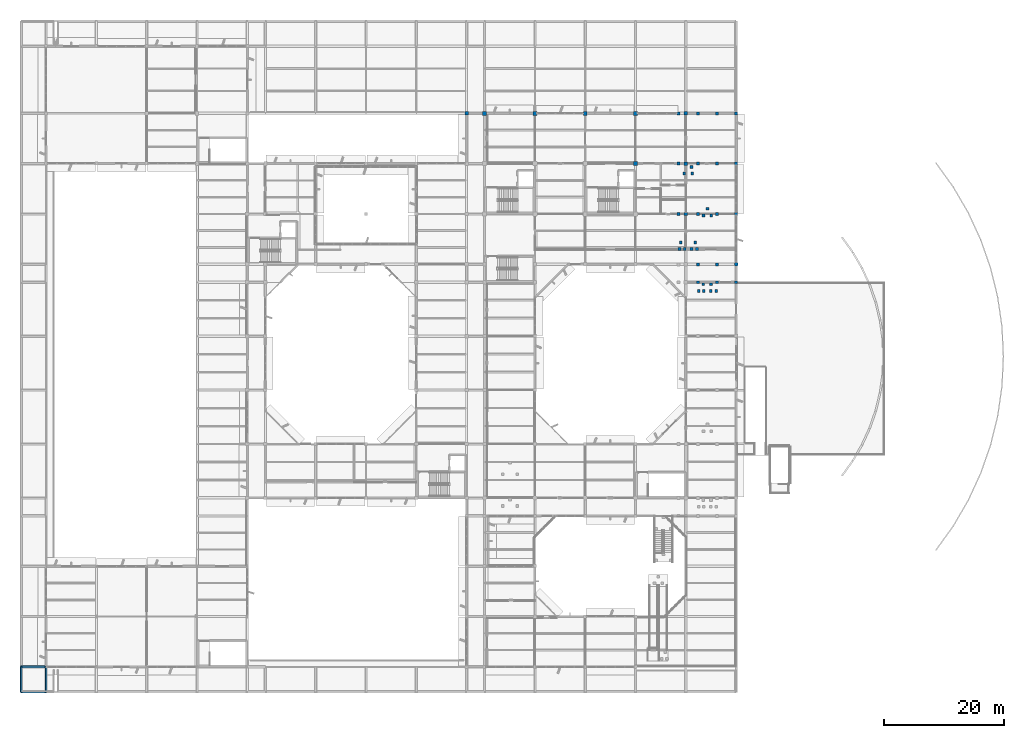
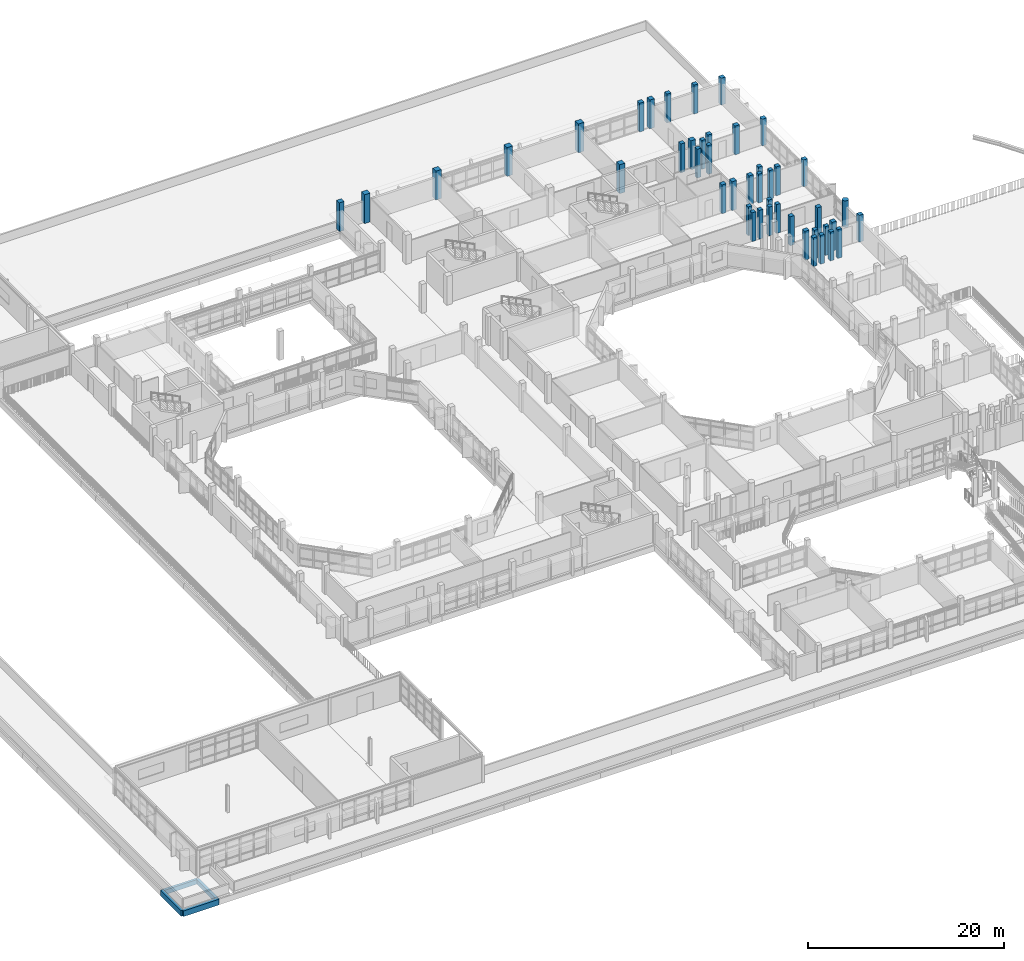
# One storey, part 3 of 92: 45 columns, 4 beams.
"""IFC4 building model written with IfcOpenShell, lengths in metres."""

from ifc_helpers import new_model, si_unit, direction, frame, origin, origin_2d, place, context, subcontext, project, spatial, rectangle, circle, extrude, material, material_profile, profile_set, type_object, element, save


model = new_model("IFC4")

# Units and contexts
model_context = context("Model", 3, precision=1e-05, world=origin(), true_north=direction((0.0, 1.0)))
body_context = subcontext(model_context, "Body", "Model", "MODEL_VIEW")
ifc_project = project(units=[si_unit("LENGTHUNIT", "METRE"), si_unit("AREAUNIT", "SQUARE_METRE"), si_unit("VOLUMEUNIT", "CUBIC_METRE"), si_unit("PLANEANGLEUNIT", "RADIAN"), si_unit("MASSUNIT", "GRAM", prefix="KILO")], contexts=[model_context])

# Site, building, storey
site_placement = place(None, origin())
site = spatial("IfcSite", under=ifc_project, at=site_placement, CompositionType="ELEMENT")
building_placement = place(site_placement, origin())
building = spatial("IfcBuilding", under=site, at=building_placement, Name="Vanh Quang Courtyard School", CompositionType="ELEMENT")
storey_placement = place(building_placement, frame((0.0, 0.0, 7.800048828125)))
storey = spatial("IfcBuildingStorey", under=building, at=storey_placement, Name="L02", CompositionType="ELEMENT", Elevation=7.800048828125)

# Columns
ifc_material = material(Name="Concrete C35/45", Category="concrete")
ifc_material_profile_1 = material_profile(ifc_material, rectangle(XDim=0.449951171875, YDim=0.449951171875, at=origin_2d()), Name="RC-COL 450x450")
ifc_profile_set_1 = profile_set([ifc_material_profile_1], Name="Concrete C35/45")
column_type_1 = type_object("IfcColumnType", Name="COL-RC-450", PredefinedType="COLUMN", material=ifc_profile_set_1)
for number, where, z_axis, x_axis, name in (
    (1, (113.949951171875, 79.550048828125, 0.0), (0.0, 0.0, 1.0), (1.0, 0.0, 0.0), "Column C-06 (L02)"),
    (2, (115.25, 79.550048828125, 0.0), (0.0, 0.0, 1.0), (1.0, 0.0, 0.0), "Column C-06 (L02)"),
    (3, (114.60009765625, 80.64990234375, 0.0), (0.0, 0.0, 1.0), (1.0, 0.0, 0.0), "Column C-06 (L02)"),
    (4, (115.14990234375, 66.949951171875, 0.0), (0.0, 0.0, 1.0), (1.0, 0.0, 0.0), "Column C-06 (L02)"),
    (5, (116.050048828125, 66.949951171875, 0.0), (0.0, 0.0, 1.0), (1.0, 0.0, 0.0), "Column C-06 (L02)"),
    (6, (115.199951171875, 68.050048828125, 0.0), (0.0, 0.0, 1.0), (1.0, 0.0, 0.0), "Column C-06 (L02)"),
    (7, (113.14990234375, 66.949951171875, 0.0), (0.0, 0.0, 1.0), (1.0, 0.0, 0.0), "Column C-06 (L02)"),
    (8, (114.0, 66.949951171875, 0.0), (0.0, 0.0, 1.0), (1.0, 0.0, 0.0), "Column C-06 (L02)"),
    (9, (113.89990234375, 68.050048828125, 0.0), (0.0, 0.0, 1.0), (1.0, 0.0, 0.0), "Column C-06 (L02)"),
    (10, (110.75, 86.550048828125, 0.0), (0.0, 0.0, 1.0), (1.0, 0.0, 0.0), "Column C-06 (L02)"),
    (11, (112.050048828125, 86.550048828125, 0.0), (0.0, 0.0, 1.0), (1.0, 0.0, 0.0), "Column C-06 (L02)"),
    (12, (111.949951171875, 87.64990234375, 0.0), (0.0, 0.0, 1.0), (1.0, 0.0, 0.0), "Column C-06 (L02)"),
    (13, (111.949951171875, 73.949951171875, 0.0), (0.0, 0.0, 1.0), (1.0, 0.0, 0.0), "Column C-06 (L02)"),
    (14, (112.85009765625, 73.949951171875, 0.0), (0.0, 0.0, 1.0), (1.0, 0.0, 0.0), "Column C-06 (L02)"),
    (15, (112.550048828125, 75.050048828125, 0.0), (0.0, 0.0, 1.0), (1.0, 0.0, 0.0), "Column C-06 (L02)"),
    (16, (109.949951171875, 73.949951171875, 0.0), (0.0, 0.0, 1.0), (1.0, 0.0, 0.0), "Column C-06 (L02)"),
    (17, (110.800048828125, 73.949951171875, 0.0), (0.0, 0.0, 1.0), (1.0, 0.0, 0.0), "Column C-06 (L02)"),
    (18, (110.14990234375, 75.050048828125, 0.0), (0.0, 0.0, 1.0), (1.0, 0.0, 0.0), "Column C-06 (L02)"),
):
    element("IfcColumn", number, at=place(storey_placement, frame(where, z_axis=z_axis, x_axis=x_axis)), inside=storey, type_object=column_type_1, Name=name, PredefinedType="COLUMN", context=body_context, shape_type="SweptSolid", body=[
        extrude(rectangle(XDim=0.449951171875, YDim=0.449951171875, at=origin_2d()), origin(), (0.0, 0.0, 1.0), 3.599853515625),
    ])
ifc_material_profile_2 = material_profile(ifc_material, rectangle(XDim=0.5, YDim=0.5, at=origin_2d()), Name="RC-COL 500x500")
ifc_profile_set_2 = profile_set([ifc_material_profile_2], Name="Concrete C35/45")
column_type_2 = type_object("IfcColumnType", Name="COL-RC-500", PredefinedType="COLUMN", material=ifc_profile_set_2)
for number, where, z_axis, x_axis, name in (
    (19, (119.39990234375, 68.39990234375, 0.0), (0.0, 0.0, 1.0), (1.0, 0.0, 0.0), "Column C-05 (L02)"),
    (20, (119.39990234375, 79.800048828125, 0.0), (0.0, 0.0, 1.0), (1.0, 0.0, 0.0), "Column C-05 (L02)"),
    (21, (119.39990234375, 88.199951171875, 0.0), (0.0, 0.0, 1.0), (1.0, 0.0, 0.0), "Column C-05 (L02)"),
    (22, (119.39990234375, 96.60009765625, 0.0), (0.0, 0.0, 1.0), (1.0, 0.0, 0.0), "Column C-05 (L02)"),
):
    element("IfcColumn", number, at=place(storey_placement, frame(where, z_axis=z_axis, x_axis=x_axis)), inside=storey, type_object=column_type_2, Name=name, PredefinedType="COLUMN", context=body_context, shape_type="SweptSolid", body=[
        extrude(rectangle(XDim=0.5, YDim=0.5, at=origin_2d()), origin(), (0.0, 0.0, 1.0), 3.33984375),
    ])
for number, where, z_axis, x_axis, name in (
    (23, (116.199951171875, 68.39990234375, 0.0), (0.0, 0.0, 1.0), (1.0, 0.0, 0.0), "Column C-05 (L02)"),
    (24, (116.199951171875, 71.39990234375, 0.0), (0.0, 0.0, 1.0), (1.0, 0.0, 0.0), "Column C-05 (L02)"),
    (25, (116.199951171875, 79.800048828125, 0.0), (0.0, 0.0, 1.0), (1.0, 0.0, 0.0), "Column C-05 (L02)"),
    (26, (116.199951171875, 88.199951171875, 0.0), (0.0, 0.0, 1.0), (1.0, 0.0, 0.0), "Column C-05 (L02)"),
    (27, (116.199951171875, 96.60009765625, 0.0), (0.0, 0.0, 1.0), (1.0, 0.0, 0.0), "Column C-05 (L02)"),
    (28, (113.0, 68.39990234375, 0.0), (0.0, 0.0, 1.0), (1.0, 0.0, 0.0), "Column C-05 (L02)"),
    (29, (113.0, 71.39990234375, 0.0), (0.0, 0.0, 1.0), (1.0, 0.0, 0.0), "Column C-05 (L02)"),
    (30, (113.0, 79.800048828125, 0.0), (0.0, 0.0, 1.0), (1.0, 0.0, 0.0), "Column C-05 (L02)"),
    (31, (113.0, 88.199951171875, 0.0), (0.0, 0.0, 1.0), (1.0, 0.0, 0.0), "Column C-05 (L02)"),
    (32, (113.0, 96.60009765625, 0.0), (0.0, 0.0, 1.0), (1.0, 0.0, 0.0), "Column C-05 (L02)"),
    (33, (109.800048828125, 79.800048828125, 0.0), (0.0, 0.0, 1.0), (1.0, 0.0, 0.0), "Column C-05 (L02)"),
    (34, (109.800048828125, 88.199951171875, 0.0), (0.0, 0.0, 1.0), (1.0, 0.0, 0.0), "Column C-05 (L02)"),
    (35, (109.800048828125, 96.60009765625, 0.0), (0.0, 0.0, 1.0), (1.0, 0.0, 0.0), "Column C-05 (L02)"),
):
    element("IfcColumn", number, at=place(storey_placement, frame(where, z_axis=z_axis, x_axis=x_axis)), inside=storey, type_object=column_type_2, Name=name, PredefinedType="COLUMN", context=body_context, shape_type="SweptSolid", body=[
        extrude(rectangle(XDim=0.5, YDim=0.5, at=origin_2d()), origin(), (0.0, 0.0, 1.0), 3.599853515625),
    ])
ifc_material_profile_3 = material_profile(ifc_material, rectangle(XDim=0.550048828125, YDim=0.550048828125, at=origin_2d()), Name="RC-COL 550x550")
ifc_profile_set_3 = profile_set([ifc_material_profile_3], Name="Concrete C35/45")
column_type_3 = type_object("IfcColumnType", Name="COL-RC-550", PredefinedType="COLUMN", material=ifc_profile_set_3)
for number, where, z_axis, x_axis, name in (
    (36, (74.39990234375, 96.60009765625, 0.0), (0.0, 0.0, 1.0), (1.0, 0.0, 0.0), "Column C-04 (L02)"),
    (37, (111.0, 79.800048828125, 0.0), (0.0, 0.0, 1.0), (1.0, 0.0, 0.0), "Column C-04 (L02)"),
    (38, (111.0, 88.199951171875, 0.0), (0.0, 0.0, 1.0), (1.0, 0.0, 0.0), "Column C-04 (L02)"),
    (39, (111.0, 96.60009765625, 0.0), (0.0, 0.0, 1.0), (1.0, 0.0, 0.0), "Column C-04 (L02)"),
):
    element("IfcColumn", number, at=place(storey_placement, frame(where, z_axis=z_axis, x_axis=x_axis)), inside=storey, type_object=column_type_3, Name=name, PredefinedType="COLUMN", context=body_context, shape_type="SweptSolid", body=[
        extrude(rectangle(XDim=0.550048828125, YDim=0.550048828125, at=origin_2d()), origin(), (0.0, 0.0, 1.0), 3.599853515625),
    ])
ifc_material_profile_4 = material_profile(ifc_material, rectangle(XDim=0.64990234375, YDim=0.64990234375, at=origin_2d()), Name="RC-COL 650x650")
ifc_profile_set_4 = profile_set([ifc_material_profile_4], Name="Concrete C35/45")
column_type_4 = type_object("IfcColumnType", Name="COL-RC-650", PredefinedType="COLUMN", material=ifc_profile_set_4)
for number, where, z_axis, x_axis, name in (
    (40, (77.39990234375, 96.60009765625, 0.0), (0.0, 0.0, 1.0), (1.0, 0.0, 0.0), "Column C-02 (L02)"),
    (41, (85.800048828125, 96.60009765625, 0.0), (0.0, 0.0, 1.0), (1.0, 0.0, 0.0), "Column C-02 (L02)"),
    (42, (94.199951171875, 96.60009765625, 0.0), (0.0, 0.0, 1.0), (1.0, 0.0, 0.0), "Column C-02 (L02)"),
    (43, (102.60009765625, 88.199951171875, 0.0), (0.0, 0.0, 1.0), (1.0, 0.0, 0.0), "Column C-02 (L02)"),
    (44, (102.60009765625, 96.60009765625, 0.0), (0.0, 0.0, 1.0), (1.0, 0.0, 0.0), "Column C-02 (L02)"),
):
    element("IfcColumn", number, at=place(storey_placement, frame(where, z_axis=z_axis, x_axis=x_axis)), inside=storey, type_object=column_type_4, Name=name, PredefinedType="COLUMN", context=body_context, shape_type="SweptSolid", body=[
        extrude(rectangle(XDim=0.64990234375, YDim=0.64990234375, at=origin_2d()), origin(), (0.0, 0.0, 1.0), 3.599853515625),
    ])
ifc_material_profile_5 = material_profile(ifc_material, circle(Radius=0.324951171875, at=origin_2d()), Name="RC-COL D650")
ifc_profile_set_5 = profile_set([ifc_material_profile_5], Name="Concrete C35/45")
column_type_5 = type_object("IfcColumnType", Name="COL-RC-D650", PredefinedType="COLUMN", material=ifc_profile_set_5)
column_placement = place(storey_placement, frame((119.39990234375, 71.39990234375, 0.0), z_axis=(0.0, 0.0, 1.0), x_axis=(1.0, 0.0, 0.0)))
element("IfcColumn", 45, at=column_placement, inside=storey, type_object=column_type_5, Name="Column C-10 (L02)", PredefinedType="COLUMN", context=body_context, shape_type="SweptSolid", body=[
    extrude(circle(Radius=0.324951171875, at=origin_2d()), origin(), (0.0, 0.0, 1.0), 3.33984375),
])

# Beams
ifc_material_profile_6 = material_profile(ifc_material, rectangle(XDim=0.300048828125, YDim=0.550048828125, at=origin_2d()), Name="RC-BM 300x550")
ifc_profile_set_6 = profile_set([ifc_material_profile_6], Name="Concrete C35/45")
beam_type_1 = type_object("IfcBeamType", Name="BM-RC-300x550", PredefinedType="BEAM", material=ifc_profile_set_6)
for number, where, z_axis, x_axis, name in (
    (46, (0.0, 4.199951171875, -0.554931640625), (1.0, 0.0, 0.0), (0.0, 1.0, 0.0), "Beam B-07 (L02)"),
    (47, (4.199951171875, 0.0, -0.554931640625), (0.0, 1.0, 0.0), (-1.0, 0.0, 0.0), "Beam B-07 (L02)"),
):
    element("IfcBeam", number, at=place(storey_placement, frame(where, z_axis=z_axis, x_axis=x_axis)), inside=storey, type_object=beam_type_1, Name=name, PredefinedType="BEAM", context=body_context, shape_type="SweptSolid", body=[
        extrude(rectangle(XDim=0.300048828125, YDim=0.550048828125, at=origin_2d()), origin(), (0.0, 0.0, 1.0), 4.199951171875),
    ])
ifc_material_profile_7 = material_profile(ifc_material, rectangle(XDim=0.35009765625, YDim=0.699951171875, at=origin_2d()), Name="RC-BM 350x700")
ifc_profile_set_7 = profile_set([ifc_material_profile_7], Name="Concrete C35/45")
beam_type_2 = type_object("IfcBeamType", Name="BM-RC-350x700", PredefinedType="BEAM", material=ifc_profile_set_7)
beam_1_placement = place(storey_placement, frame((0.0, 0.0, -0.570068359375), z_axis=(1.0, 0.0, 0.0), x_axis=(0.0, 1.0, 0.0)))
element("IfcBeam", 48, at=beam_1_placement, inside=storey, type_object=beam_type_2, Name="Beam B-04 (L02)", PredefinedType="BEAM", context=body_context, shape_type="SweptSolid", body=[
    extrude(rectangle(XDim=0.35009765625, YDim=0.699951171875, at=origin_2d()), origin(), (0.0, 0.0, 1.0), 4.199951171875),
])
ifc_material_profile_8 = material_profile(ifc_material, rectangle(XDim=0.300048828125, YDim=0.699951171875, at=origin_2d()), Name="RC-SP 300x700")
ifc_profile_set_8 = profile_set([ifc_material_profile_8], Name="Concrete C35/45")
beam_type_3 = type_object("IfcBeamType", Name="BM-SP-300x700", PredefinedType="SPANDREL", material=ifc_profile_set_8)
beam_2_placement = place(storey_placement, frame((0.0, 0.0, -0.570068359375), z_axis=(0.0, 1.0, 0.0), x_axis=(-1.0, 0.0, 0.0)))
element("IfcBeam", 49, at=beam_2_placement, inside=storey, type_object=beam_type_3, Name="Beam BS-01 (L02)", PredefinedType="SPANDREL", context=body_context, shape_type="SweptSolid", body=[
    extrude(rectangle(XDim=0.300048828125, YDim=0.699951171875, at=origin_2d()), origin(), (0.0, 0.0, 1.0), 4.199951171875),
])

save(model, "model.ifc")
